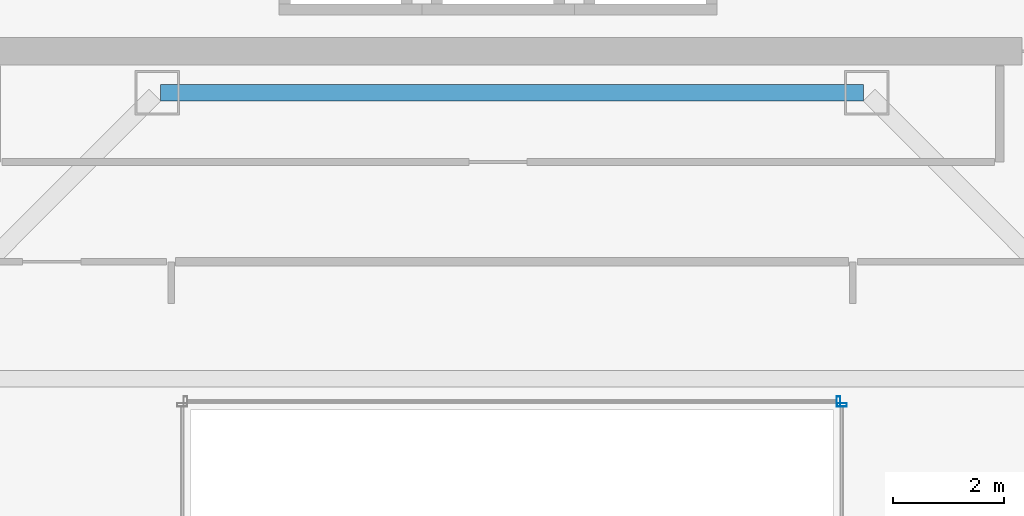
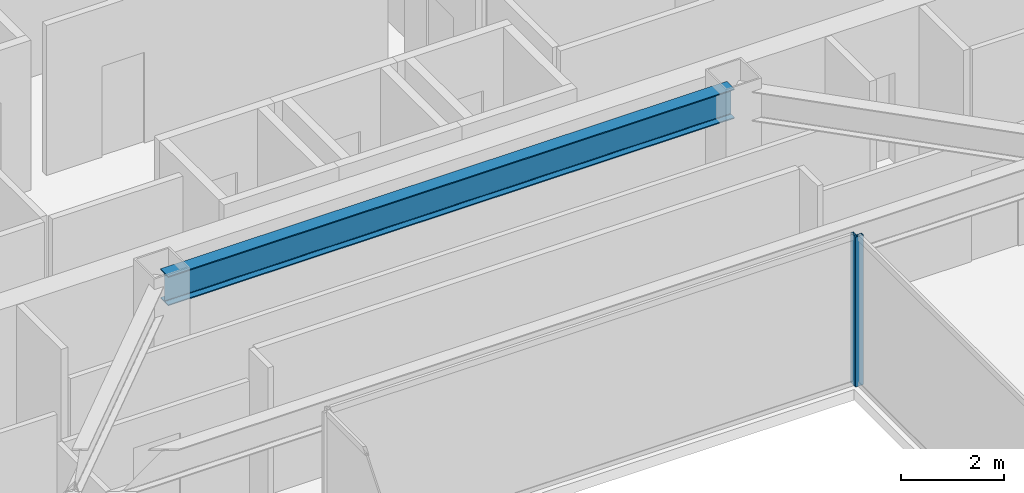
# One storey, part 15 of 35: 2 members, 1 beam, 2 elements without a shape of their own.
"""IFC4 building model written with IfcOpenShell, lengths in metres."""

from ifc_helpers import new_model, si_unit, direction, frame, origin, origin_2d, place, context, subcontext, project, spatial, hollow_rectangle, i_section, extrude, material, material_profile, profile_set, type_object, element, aggregate, save


model = new_model("IFC4")

# Units and contexts
model_context = context("Model", 3, precision=1e-05, world=origin(), true_north=direction((0.0, 1.0)))
body_context = subcontext(model_context, "Body", "Model", "MODEL_VIEW")
ifc_project = project(units=[si_unit("LENGTHUNIT", "METRE"), si_unit("AREAUNIT", "SQUARE_METRE"), si_unit("VOLUMEUNIT", "CUBIC_METRE"), si_unit("PLANEANGLEUNIT", "RADIAN"), si_unit("MASSUNIT", "GRAM", prefix="KILO")], contexts=[model_context])

# Site, building, storey
site_placement = place(None, origin())
site = spatial("IfcSite", under=ifc_project, at=site_placement, CompositionType="ELEMENT")
building_placement = place(site_placement, origin())
building = spatial("IfcBuilding", under=site, at=building_placement, Name="Saevonmaru Cultural Tower", CompositionType="ELEMENT")
storey_placement = place(building_placement, frame((0.0, 0.0, 190.39990234375)))
storey = spatial("IfcBuildingStorey", under=building, at=storey_placement, Name="L43", CompositionType="ELEMENT", Elevation=190.39990234375)

# Beam
ifc_material_1 = material(Name="Steel SM355", Category="steel")
ifc_material_profile_1 = material_profile(ifc_material_1, i_section(OverallWidth=0.300048828125, OverallDepth=0.699951171875, WebThickness=0.012939453125, FlangeThickness=0.02392578125, FilletRadius=0.02587890625, at=origin_2d()), Name="H-700x300x13x24")
ifc_profile_set_1 = profile_set([ifc_material_profile_1], Name="Steel SM355")
beam_type = type_object("IfcBeamType", Name="BM-G-H700", PredefinedType="BEAM", material=ifc_profile_set_1)
beam_placement = place(storey_placement, frame((23.659912109375, 42.39990234375, 3.2001953125), z_axis=(1.0, 0.0, 0.0), x_axis=(0.0, 1.0, 0.0)))
element("IfcBeam", 1, at=beam_placement, inside=storey, type_object=beam_type, Name="L43 Core South Girder 3", PredefinedType="BEAM", context=body_context, shape_type="SweptSolid", body=[
    extrude(i_section(OverallWidth=0.300048828125, OverallDepth=0.699951171875, WebThickness=0.012939453125, FlangeThickness=0.02392578125, FilletRadius=0.02587890625, at=origin_2d()), origin(), (0.0, 0.0, 1.0), 12.68017578125),
])

# Curtain wall, member
ifc_material_2 = material(Name="Satin Bronze Anodised Aluminium", Category="aluminium")
curtain_wall_type = type_object("IfcCurtainWallType", Name="CW-ATR-GLZ", PredefinedType="NOTDEFINED", material=ifc_material_2)
curtain_wall_1_placement = place(storey_placement, origin())
curtain_wall_1 = element("IfcCurtainWall", 2, at=curtain_wall_1_placement, inside=storey, type_object=curtain_wall_type, Name="L43 Vertical Atrium Glazed Smoke Screen 2", PredefinedType="NOTDEFINED")
ifc_material_profile_2 = material_profile(ifc_material_2, hollow_rectangle(XDim=0.06494140625, YDim=0.179931640625, WallThickness=0.00390625, at=origin_2d()), Name="ALU-MULL-180x65x4")
ifc_profile_set_2 = profile_set([ifc_material_profile_2], Name="Satin Bronze Anodised Aluminium")
member_type = type_object("IfcMemberType", Name="ML-CW-INT-180x65", PredefinedType="MULLION", material=ifc_profile_set_2)
member_1_placement = place(storey_placement, frame((35.949951171875, 36.77001953125, 0.0), z_axis=(0.0, 0.0, 1.0), x_axis=(0.0, 1.0, 0.0)))
member_1 = element("IfcMember", 3, at=member_1_placement, type_object=member_type, Name="CW-ATR-L43-2 mullion 2", PredefinedType="MULLION", context=body_context, shape_type="SweptSolid", body=[
    extrude(hollow_rectangle(XDim=0.06494140625, YDim=0.179931640625, WallThickness=0.00390625, at=origin_2d()), origin(), (0.0, 0.0, 1.0), 3.550048828125),
])
aggregate(curtain_wall_1, [member_1])

curtain_wall_2_placement = place(storey_placement, origin())
curtain_wall_2 = element("IfcCurtainWall", 4, at=curtain_wall_2_placement, inside=storey, type_object=curtain_wall_type, Name="L43 Vertical Atrium Glazed Smoke Screen 3", PredefinedType="NOTDEFINED")
member_2_placement = place(storey_placement, frame((35.889892578125, 36.830078125, 0.0), z_axis=(0.0, 0.0, 1.0), x_axis=(-1.0, 0.0, 0.0)))
member_2 = element("IfcMember", 5, at=member_2_placement, type_object=member_type, Name="CW-ATR-L43-3 mullion 1", PredefinedType="MULLION", context=body_context, shape_type="SweptSolid", body=[
    extrude(hollow_rectangle(XDim=0.06494140625, YDim=0.179931640625, WallThickness=0.00390625, at=origin_2d()), origin(), (0.0, 0.0, 1.0), 3.550048828125),
])
aggregate(curtain_wall_2, [member_2])

save(model, "model.ifc")
